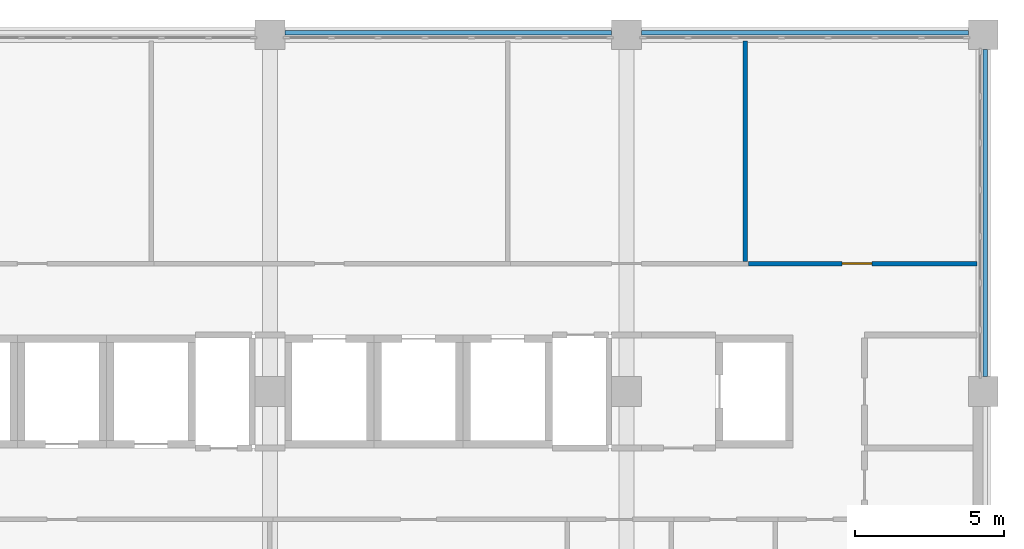
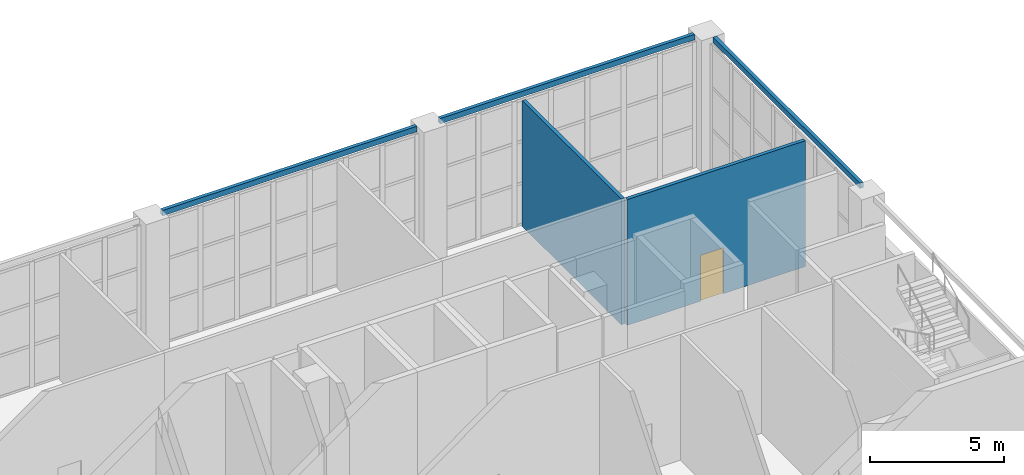
# One storey, part 67 of 72: 5 walls, 1 door, 1 opening.
"""IFC4 building model written with IfcOpenShell, lengths in metres."""

import ifcopenshell
import ifcopenshell.guid

model = None  # the IFC model being written
_history = None  # IfcOwnerHistory: only IFC2X3 demands one
_inside = {}  # id of a spatial element -> (the spatial element, [elements in it])
_under = {}  # id of a project, library or spatial element -> (it, [spatial elements below it])
_declared = {}  # id of a project -> (the project, [libraries it declares])
_typed = {}  # id of a type object -> (the type object, [elements of that type])
_made_of = {}  # id of a material, layer set ... -> (it, [elements and type objects made of it])


def new_model(schema):
    """Start an empty IFC model of exactly this schema.

    Asked for "IFC4X3", IfcOpenShell would pick the latest addendum, in which some entities
    have other attributes; the version numbers below select the first issue.
    IFC2X3 requires an IfcOwnerHistory on every rooted entity: one is made here for all.
    """
    global model, _history
    if schema == "IFC4X3":
        model = ifcopenshell.file(schema_version=(4, 3, 0, 0))
    else:
        model = ifcopenshell.file(schema=schema)
    _inside.clear()
    _under.clear()
    _declared.clear()
    _typed.clear()
    _made_of.clear()
    _history = None
    if model.schema == "IFC2X3":
        org = make("IfcOrganization", Name="unknown")
        user = make(
            "IfcPersonAndOrganization",
            ThePerson=make("IfcPerson", FamilyName="unknown"),
            TheOrganization=org,
        )
        app = make(
            "IfcApplication",
            ApplicationDeveloper=org,
            Version="unknown",
            ApplicationFullName="unknown",
            ApplicationIdentifier="unknown",
        )
        _history = make(
            "IfcOwnerHistory",
            OwningUser=user,
            OwningApplication=app,
            ChangeAction="ADDED",
            CreationDate=0,
        )
    return model


def make(cls, **values):
    """One entity of the class cls with the attributes given. An attribute that is None is left unset."""
    return model.create_entity(
        cls, **{name: value for name, value in values.items() if value is not None}
    )


def rooted(cls, **values):
    """An entity with a GlobalId (a new one), such as an element, a storey or a relation."""
    return make(cls, GlobalId=ifcopenshell.guid.new(), OwnerHistory=_history, **values)


def si_unit(unit_type, name, prefix=None):
    """IfcSIUnit, for example si_unit("LENGTHUNIT", "METRE", prefix="MILLI")."""
    return make("IfcSIUnit", UnitType=unit_type, Prefix=prefix, Name=name)


def assignment(units):
    """IfcUnitAssignment: the units of a project."""
    return None if units is None else make("IfcUnitAssignment", Units=units)


def point(xyz):
    """IfcCartesianPoint."""
    return None if xyz is None else make("IfcCartesianPoint", Coordinates=xyz)


def direction(xyz):
    """IfcDirection."""
    return None if xyz is None else make("IfcDirection", DirectionRatios=xyz)


def frame(location, z_axis=None, x_axis=None):
    """IfcAxis2Placement3D, a coordinate frame: its origin and axes. An axis left out is left unset."""
    return make(
        "IfcAxis2Placement3D",
        Location=point(location),
        Axis=direction(z_axis),
        RefDirection=direction(x_axis),
    )


def frame_2d(location, x_axis=None):
    """IfcAxis2Placement2D, a coordinate frame in the plane: its origin and x axis."""
    return make(
        "IfcAxis2Placement2D", Location=point(location), RefDirection=direction(x_axis)
    )


def origin():
    """The frame at (0, 0, 0) with its axes left unset."""
    return frame((0.0, 0.0, 0.0))


def place(relative_to, where):
    """IfcLocalPlacement: puts the frame where relative to a parent placement (None: the world)."""
    return make(
        "IfcLocalPlacement", PlacementRelTo=relative_to, RelativePlacement=where
    )


def context(
    kind, dimensions, precision=None, world=None, true_north=None, identifier=None
):
    """IfcGeometricRepresentationContext, for example the 3D "Model" context."""
    return make(
        "IfcGeometricRepresentationContext",
        ContextIdentifier=identifier,
        ContextType=kind,
        CoordinateSpaceDimension=dimensions,
        Precision=precision,
        WorldCoordinateSystem=world,
        TrueNorth=true_north,
    )


def subcontext(parent, identifier, kind, view, scale=None):
    """IfcGeometricRepresentationSubContext, for example "Body" below "Model"."""
    return make(
        "IfcGeometricRepresentationSubContext",
        ContextIdentifier=identifier,
        ContextType=kind,
        ParentContext=parent,
        TargetScale=scale,
        TargetView=view,
    )


def project(units=None, contexts=None):
    """IfcProject with its units and contexts."""
    return rooted(
        "IfcProject",
        Name="project",
        RepresentationContexts=contexts,
        UnitsInContext=assignment(units),
    )


def spatial(cls, under=None, at=None, **own):
    """A site, building, storey or space (cls), placed at a placement, below another one or the project."""
    s = rooted(cls, ObjectPlacement=at, **own)
    if under is not None:
        _under.setdefault(under.id(), (under, []))[1].append(s)
    return s


def profile(cls, at=None, kind="AREA", **sizes):
    """A parametric profile (cls). Its sizes go by their IFC names, for example OverallWidth=200.0."""
    return make(cls, ProfileType=kind, Position=at, **sizes)


def rectangle(**sizes):
    """IfcRectangleProfileDef."""
    return profile("IfcRectangleProfileDef", **sizes)


def extrude(swept, where, along, depth):
    """IfcExtrudedAreaSolid: the profile swept, set in the frame where, extruded along a direction by depth."""
    return make(
        "IfcExtrudedAreaSolid",
        SweptArea=swept,
        Position=where,
        ExtrudedDirection=direction(along),
        Depth=depth,
    )


def shape(context_of_items, identifier, shape_type, items):
    """IfcShapeRepresentation: the items that make up one representation, for example the "Body"."""
    return make(
        "IfcShapeRepresentation",
        ContextOfItems=context_of_items,
        RepresentationIdentifier=identifier,
        RepresentationType=shape_type,
        Items=items,
    )


def material(Name=None, Category=None):
    """IfcMaterial."""
    return make("IfcMaterial", Name=Name, Category=Category)


def layer(
    of_material, thickness, ventilated=None, Name=None, Category=None, Priority=None
):
    """IfcMaterialLayer: one layer of a wall or slab, of a material (None: an air gap)."""
    return make(
        "IfcMaterialLayer",
        Material=of_material,
        LayerThickness=thickness,
        IsVentilated=ventilated,
        Name=Name,
        Category=Category,
        Priority=Priority,
    )


def layer_set(layers, Name=None):
    """IfcMaterialLayerSet."""
    return make("IfcMaterialLayerSet", MaterialLayers=layers, LayerSetName=Name)


def made_of(thing, what):
    """Note that an element or type object is made of a material, layer set ...; save() writes the relation."""
    if what is not None:
        _made_of.setdefault(what.id(), (what, []))[1].append(thing)
    return thing


def type_object(cls, material=None, **own):
    """A type object (cls), such as IfcWallType, which elements share."""
    return made_of(rooted(cls, **own), material)


def element(
    cls,
    number,
    at=None,
    inside=None,
    cuts=None,
    type_object=None,
    material=None,
    context=None,
    identifier="Body",
    shape_type=None,
    held_by="IfcProductDefinitionShape",
    body=None,
    shapes=None,
    **own,
):
    """One element of the class cls, such as IfcWall. Its Tag is "e" and its number.

    at: its placement. inside: the storey or other place that contains it. cuts: it is an
    opening in that element (IfcRelVoidsElement). A single representation is given by context,
    identifier, shape_type and body (its items); several are given by shapes. held_by: the class
    of the entity that holds the representations. save() writes the other relations.
    """
    e = rooted(cls, Tag="e%d" % number, ObjectPlacement=at, **own)
    if body is not None:
        shapes = [shape(context, identifier, shape_type, body)]
    if shapes is not None:
        e.Representation = make(held_by, Representations=shapes)
    if inside is not None:
        _inside.setdefault(inside.id(), (inside, []))[1].append(e)
    if cuts is not None:
        rooted(
            "IfcRelVoidsElement", RelatingBuildingElement=cuts, RelatedOpeningElement=e
        )
    if type_object is not None:
        _typed.setdefault(type_object.id(), (type_object, []))[1].append(e)
    return made_of(e, material)


def fill(opening, filler):
    """IfcRelFillsElement: the door or window that sits in an opening."""
    return rooted(
        "IfcRelFillsElement",
        RelatingOpeningElement=opening,
        RelatedBuildingElement=filler,
    )


def aggregate(whole, parts):
    """IfcRelAggregates: a whole, such as a stair, and the parts it consists of."""
    return rooted("IfcRelAggregates", RelatingObject=whole, RelatedObjects=parts)


def save(model, path):
    """Write the relations noted so far, then the file.

    IfcRelAggregates (storeys below a building ...), IfcRelContainedInSpatialStructure (elements
    in a storey), IfcRelDefinesByType, IfcRelAssociatesMaterial and IfcRelDeclares: one each for
    every whole, place, type object, material and project.
    """
    for whole, parts in _under.values():
        aggregate(whole, parts)
    for where, things in _inside.values():
        rooted(
            "IfcRelContainedInSpatialStructure",
            RelatedElements=things,
            RelatingStructure=where,
        )
    for kind, things in _typed.values():
        rooted("IfcRelDefinesByType", RelatedObjects=things, RelatingType=kind)
    for what, things in _made_of.values():
        rooted("IfcRelAssociatesMaterial", RelatedObjects=things, RelatingMaterial=what)
    for by, libraries in _declared.values():
        rooted("IfcRelDeclares", RelatingContext=by, RelatedDefinitions=libraries)
    model.write(path)


model = new_model("IFC4")

# Units and contexts
model_context = context("Model", 3, precision=1e-05, world=origin(), true_north=direction((0.0, 1.0)))
body_context = subcontext(model_context, "Body", "Model", "MODEL_VIEW")
ifc_project = project(units=[si_unit("LENGTHUNIT", "METRE"), si_unit("AREAUNIT", "SQUARE_METRE"), si_unit("VOLUMEUNIT", "CUBIC_METRE"), si_unit("PLANEANGLEUNIT", "RADIAN"), si_unit("MASSUNIT", "GRAM", prefix="KILO")], contexts=[model_context])

# Site, building, storey
site_placement = place(None, origin())
site = spatial("IfcSite", under=ifc_project, at=site_placement, CompositionType="ELEMENT")
building_placement = place(site_placement, origin())
building = spatial("IfcBuilding", under=site, at=building_placement, Name="Lilac Gate Convention Centre", CompositionType="ELEMENT")
storey_placement = place(building_placement, frame((0.0, 0.0, 6.0)))
storey = spatial("IfcBuildingStorey", under=building, at=storey_placement, Name="L01", CompositionType="ELEMENT", Elevation=6.0)

# Wall, opening, door
ifc_material_1 = material(Name="Gypsum board on steel stud", Category="steel")
ifc_layer_1 = layer(ifc_material_1, 0.14990234375)
ifc_layer_set_1 = layer_set([ifc_layer_1], Name="Gypsum board on steel stud")
wall_type_1 = type_object("IfcWallType", Name="Corridor wall 150", PredefinedType="PARTITIONING", material=ifc_layer_set_1)
wall_1_placement = place(storey_placement, frame((82.10009765625, 238.300048828125, 0.0), z_axis=(0.0, 0.0, 1.0), x_axis=(1.0, 0.0, 0.0)))
wall_1 = element("IfcWall", 1, at=wall_1_placement, inside=storey, type_object=wall_type_1, Name="Corridor wall 150 front PD2", PredefinedType="PARTITIONING", context=body_context, shape_type="SweptSolid", body=[
    extrude(rectangle(XDim=7.69970703125, YDim=0.14990234375, at=frame_2d((3.849853515625, 0.0))), origin(), (0.0, 0.0, 1.0), 5.75),
])
opening_placement = place(wall_1_placement, frame((3.14990234375, 0.0, 0.0)))
opening = element("IfcOpeningElement", 2, at=opening_placement, cuts=wall_1, Name="Opening T01-019", PredefinedType="OPENING", context=body_context, shape_type="SweptSolid", body=[
    extrude(rectangle(XDim=1.0, YDim=2.10009765625, at=frame_2d((0.5, 1.050048828125))), frame((0.0, 0.0849609375, 0.0), z_axis=(0.0, -1.0, 0.0), x_axis=(1.0, 0.0, 0.0)), (0.0, 0.0, 1.0), 0.169921875),
])
ifc_material_2 = material(Name="Timber", Category="wood")
door_type = type_object("IfcDoorType", Name="Room door 1000", OperationType="SINGLE_SWING_LEFT", PredefinedType="DOOR", material=ifc_material_2)
door_placement = place(opening_placement, origin())
door = element("IfcDoor", 3, at=door_placement, inside=storey, type_object=door_type, Name="Private Dining Room door", OperationType="SINGLE_SWING_LEFT", OverallHeight=2.10009765625, OverallWidth=1.0, PredefinedType="DOOR", context=body_context, shape_type="SweptSolid", body=[
    extrude(rectangle(XDim=1.0, YDim=2.10009765625, at=frame_2d((0.5, 1.050048828125))), frame((0.0, 0.02490234375, 0.0), z_axis=(0.0, -1.0, 0.0), x_axis=(1.0, 0.0, 0.0)), (0.0, 0.0, 1.0), 0.050048828125),
])
fill(opening, door)

# Walls
ifc_material_3 = material(Name="Concrete C40 precast", Category="concrete")
ifc_layer_2 = layer(ifc_material_3, 0.1298828125)
ifc_material_4 = material(Name="Ochre mineral render")
ifc_layer_3 = layer(ifc_material_4, 0.02001953125)
ifc_layer_set_2 = layer_set([ifc_layer_2, ifc_layer_3], Name="Concrete C40 precast, Ochre mineral render")
wall_type_2 = type_object("IfcWallType", Name="Precast band ochre 150", PredefinedType="STANDARD", material=ifc_layer_set_2)
for number, where, z_axis, x_axis, name in (
    (4, (90.074951171875, 234.5, 5.75), (0.0, 0.0, 1.0), (0.0, 1.0, 0.0), "Precast band E L01 2"),
    (5, (89.5, 246.074951171875, 5.75), (0.0, 0.0, 1.0), (-1.0, 0.0, 0.0), "Precast band N L01 1"),
    (6, (77.5, 246.074951171875, 5.75), (0.0, 0.0, 1.0), (-1.0, 0.0, 0.0), "Precast band N L01 2"),
):
    element("IfcWall", number, at=place(storey_placement, frame(where, z_axis=z_axis, x_axis=x_axis)), inside=storey, type_object=wall_type_2, Name=name, PredefinedType="STANDARD", context=body_context, shape_type="SweptSolid", body=[
        extrude(rectangle(XDim=11.0, YDim=0.14990234375, at=frame_2d((5.5, 0.0))), origin(), (0.0, 0.0, 1.0), 0.25),
    ])
ifc_layer_4 = layer(ifc_material_1, 0.14990234375)
ifc_layer_set_3 = layer_set([ifc_layer_4], Name="Gypsum board on steel stud")
wall_type_3 = type_object("IfcWallType", Name="Room partition 150", PredefinedType="PARTITIONING", material=ifc_layer_set_3)
wall_2_placement = place(storey_placement, frame((82.0, 245.7998046875, 0.0), z_axis=(0.0, 0.0, 1.0), x_axis=(0.0, -1.0, 0.0)))
element("IfcWall", 7, at=wall_2_placement, inside=storey, type_object=wall_type_3, Name="Room partition 150 part PD2", PredefinedType="PARTITIONING", context=body_context, shape_type="SweptSolid", body=[
    extrude(rectangle(XDim=7.4248046875, YDim=0.14990234375, at=frame_2d((3.71240234375, 0.0))), origin(), (0.0, 0.0, 1.0), 5.75),
])

save(model, "model.ifc")
